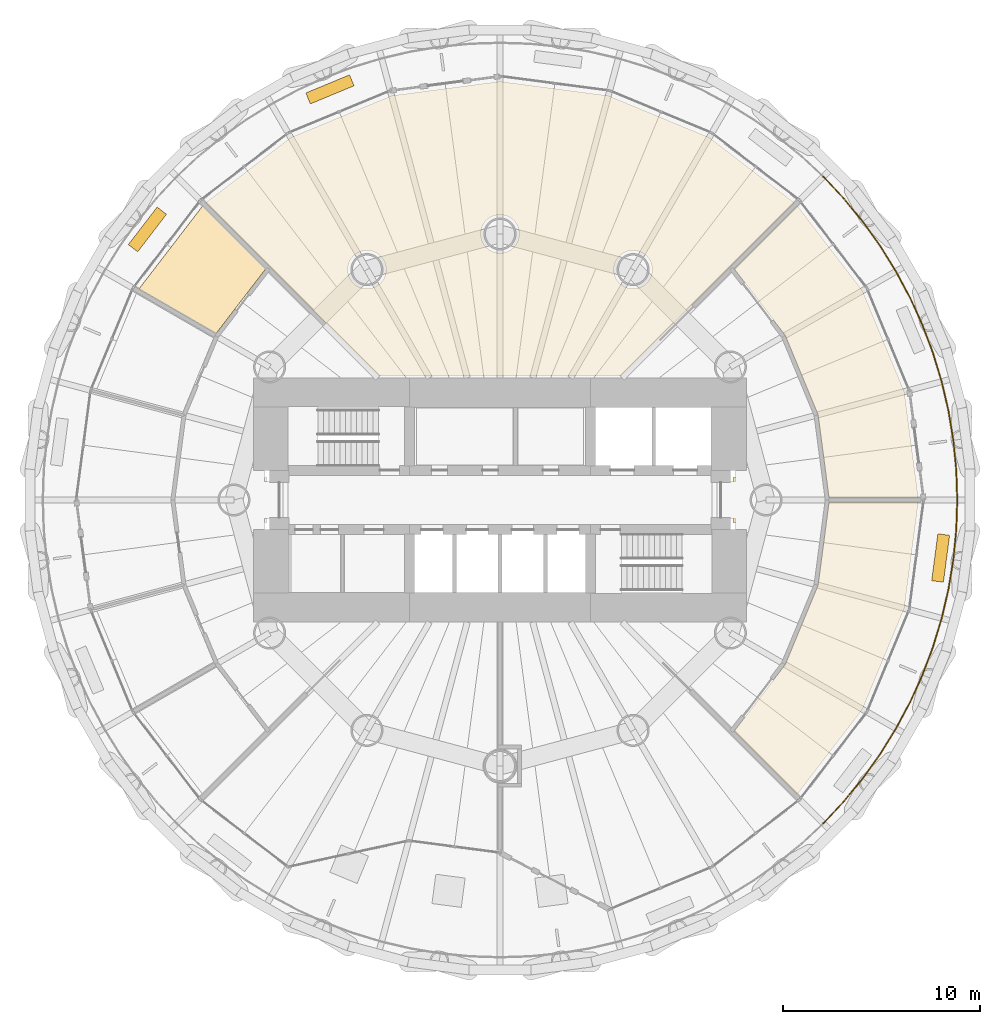
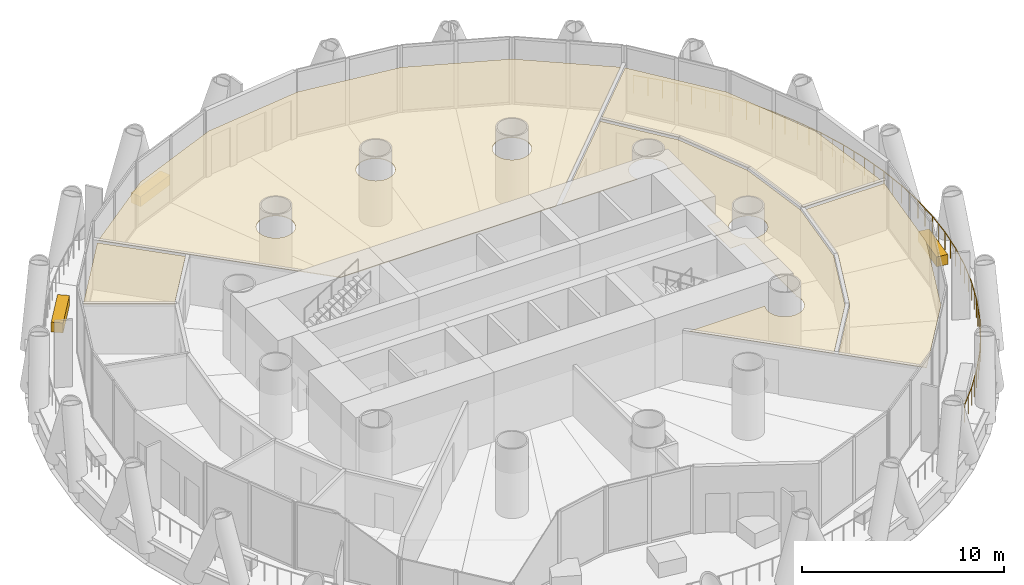
# One storey, part 14 of 15: 8 coverings, 1 railing.
"""IFC4 building model written with IfcOpenShell, lengths in metres."""

from ifc_helpers import new_model, si_unit, direction, frame, origin, origin_2d, place, context, subcontext, project, spatial, polyline, rectangle, circle, outline, extrude, material, layer, layer_set, type_object, element, save


model = new_model("IFC4")

# Units and contexts
model_context = context("Model", 3, precision=1e-05, world=origin(), true_north=direction((0.0, 1.0)))
body_context = subcontext(model_context, "Body", "Model", "MODEL_VIEW")
ifc_project = project(units=[si_unit("LENGTHUNIT", "METRE"), si_unit("AREAUNIT", "SQUARE_METRE"), si_unit("VOLUMEUNIT", "CUBIC_METRE"), si_unit("PLANEANGLEUNIT", "RADIAN"), si_unit("MASSUNIT", "GRAM", prefix="KILO")], contexts=[model_context])

# Site, building, storey
site_placement = place(None, origin())
site = spatial("IfcSite", under=ifc_project, at=site_placement, CompositionType="ELEMENT")
building_placement = place(site_placement, origin())
building = spatial("IfcBuilding", under=site, at=building_placement, Name="Qaws Media Tower", CompositionType="ELEMENT")
storey_placement = place(building_placement, frame((0.0, 0.0, 198.199951171875)))
storey = spatial("IfcBuildingStorey", under=building, at=storey_placement, Name="L45", CompositionType="ELEMENT", Elevation=198.199951171875)

# Coverings
ifc_material_1 = material(Name="40 perforated acoustic panels with mineral wool backing, suspended", Category="mineral fibre")
ifc_layer_1 = layer(ifc_material_1, 0.0400390625)
ifc_layer_set_1 = layer_set([ifc_layer_1], Name="Acoustic panel ceiling 40")
covering_type_1 = type_object("IfcCoveringType", Name="Acoustic panel ceiling 40", PredefinedType="CEILING", material=ifc_layer_set_1)
covering_1_placement = place(storey_placement, frame((0.0, 0.0, 2.85009765625)))
element("IfcCovering", 1, at=covering_1_placement, inside=storey, type_object=covering_type_1, Name="CL3 ceiling L45-02 Fitness centre", PredefinedType="CEILING", context=body_context, shape_type="SweptSolid", body=[
    extrude(outline(polyline([(78.390380859375, 60.61767578125), (80.51171875, 55.49609375), (81.220458984375, 50.112548828125), (76.69873046875, 50.112548828125), (76.14404296875, 54.32568359375), (74.474365234375, 58.356689453125), (71.88720703125, 61.728271484375), (75.084716796875, 64.925537109375), (78.390380859375, 60.61767578125)])), origin(), (0.0, 0.0, 1.0), 0.0400390625),
])
covering_2_placement = place(storey_placement, frame((0.0, 0.0, 2.85009765625)))
element("IfcCovering", 2, at=covering_2_placement, inside=storey, type_object=covering_type_1, Name="CL3 ceiling L45-03 Fitness centre", PredefinedType="CEILING", context=body_context, shape_type="SweptSolid", body=[
    extrude(outline(polyline([(45.074462890625, 65.084716796875), (49.38232421875, 68.390380859375), (54.50390625, 70.51171875), (60.0, 71.235107421875), (65.49609375, 70.51171875), (70.61767578125, 68.390380859375), (74.925537109375, 65.084716796875), (66.1533203125, 56.3125), (53.8466796875, 56.3125), (45.074462890625, 65.084716796875)]), holes=[polyline([(54.14892578125, 61.319091796875), (54.189697265625, 61.439453125), (54.214599609375, 61.564208984375), (54.222900390625, 61.69140625), (54.214599609375, 61.818359375), (54.189697265625, 61.943115234375), (54.14892578125, 62.063720703125), (54.092529296875, 62.177734375), (54.02197265625, 62.28369140625), (53.93798828125, 62.37939453125), (53.84228515625, 62.46337890625), (53.736572265625, 62.533935546875), (53.622314453125, 62.59033203125), (53.501708984375, 62.631103515625), (53.376953125, 62.656005859375), (53.25, 62.664306640625), (53.123046875, 62.656005859375), (52.998291015625, 62.631103515625), (52.877685546875, 62.59033203125), (52.763427734375, 62.533935546875), (52.65771484375, 62.46337890625), (52.56201171875, 62.37939453125), (52.47802734375, 62.28369140625), (52.407470703125, 62.177734375), (52.35107421875, 62.063720703125), (52.310302734375, 61.943115234375), (52.285400390625, 61.818359375), (52.277099609375, 61.69140625), (52.285400390625, 61.564208984375), (52.310302734375, 61.439453125), (52.35107421875, 61.319091796875), (52.407470703125, 61.204833984375), (52.47802734375, 61.09912109375), (52.56201171875, 61.00341796875), (52.65771484375, 60.91943359375), (52.763427734375, 60.8486328125), (52.877685546875, 60.79248046875), (52.998291015625, 60.75146484375), (53.123046875, 60.726806640625), (53.25, 60.71826171875), (53.376953125, 60.726806640625), (53.501708984375, 60.75146484375), (53.622314453125, 60.79248046875), (53.736572265625, 60.8486328125), (53.84228515625, 60.91943359375), (53.93798828125, 61.00341796875), (54.02197265625, 61.09912109375), (54.092529296875, 61.204833984375), (54.14892578125, 61.319091796875)]), polyline([(60.89892578125, 63.127685546875), (60.939697265625, 63.248291015625), (60.964599609375, 63.373046875), (60.972900390625, 63.5), (60.964599609375, 63.626953125), (60.939697265625, 63.751708984375), (60.89892578125, 63.872314453125), (60.842529296875, 63.986572265625), (60.77197265625, 64.09228515625), (60.68798828125, 64.18798828125), (60.59228515625, 64.27197265625), (60.486572265625, 64.342529296875), (60.372314453125, 64.39892578125), (60.251708984375, 64.439697265625), (60.126953125, 64.464599609375), (60.0, 64.472900390625), (59.873046875, 64.464599609375), (59.748291015625, 64.439697265625), (59.627685546875, 64.39892578125), (59.513427734375, 64.342529296875), (59.40771484375, 64.27197265625), (59.31201171875, 64.18798828125), (59.22802734375, 64.09228515625), (59.157470703125, 63.986572265625), (59.10107421875, 63.872314453125), (59.060302734375, 63.751708984375), (59.035400390625, 63.626953125), (59.027099609375, 63.5), (59.035400390625, 63.373046875), (59.060302734375, 63.248291015625), (59.10107421875, 63.127685546875), (59.157470703125, 63.013427734375), (59.22802734375, 62.90771484375), (59.31201171875, 62.81201171875), (59.40771484375, 62.72802734375), (59.513427734375, 62.657470703125), (59.627685546875, 62.60107421875), (59.748291015625, 62.560302734375), (59.873046875, 62.535400390625), (60.0, 62.527099609375), (60.126953125, 62.535400390625), (60.251708984375, 62.560302734375), (60.372314453125, 62.60107421875), (60.486572265625, 62.657470703125), (60.59228515625, 62.72802734375), (60.68798828125, 62.81201171875), (60.77197265625, 62.90771484375), (60.842529296875, 63.013427734375), (60.89892578125, 63.127685546875)]), polyline([(67.64892578125, 61.319091796875), (67.689697265625, 61.439453125), (67.714599609375, 61.564208984375), (67.722900390625, 61.69140625), (67.714599609375, 61.818359375), (67.689697265625, 61.943115234375), (67.64892578125, 62.063720703125), (67.592529296875, 62.177734375), (67.52197265625, 62.28369140625), (67.43798828125, 62.37939453125), (67.34228515625, 62.46337890625), (67.236572265625, 62.533935546875), (67.122314453125, 62.59033203125), (67.001708984375, 62.631103515625), (66.876953125, 62.656005859375), (66.75, 62.664306640625), (66.623046875, 62.656005859375), (66.498291015625, 62.631103515625), (66.377685546875, 62.59033203125), (66.263427734375, 62.533935546875), (66.15771484375, 62.46337890625), (66.06201171875, 62.37939453125), (65.97802734375, 62.28369140625), (65.907470703125, 62.177734375), (65.85107421875, 62.063720703125), (65.810302734375, 61.943115234375), (65.785400390625, 61.818359375), (65.777099609375, 61.69140625), (65.785400390625, 61.564208984375), (65.810302734375, 61.439453125), (65.85107421875, 61.319091796875), (65.907470703125, 61.204833984375), (65.97802734375, 61.09912109375), (66.06201171875, 61.00341796875), (66.15771484375, 60.91943359375), (66.263427734375, 60.8486328125), (66.377685546875, 60.79248046875), (66.498291015625, 60.75146484375), (66.623046875, 60.726806640625), (66.75, 60.71826171875), (66.876953125, 60.726806640625), (67.001708984375, 60.75146484375), (67.122314453125, 60.79248046875), (67.236572265625, 60.8486328125), (67.34228515625, 60.91943359375), (67.43798828125, 61.00341796875), (67.52197265625, 61.09912109375), (67.592529296875, 61.204833984375), (67.64892578125, 61.319091796875)])]), origin(), (0.0, 0.0, 1.0), 0.0400390625),
])

# Railing
ifc_material_2 = material(Name="Stainless steel and glass guard", Category="steel")
railing_type = type_object("IfcRailingType", Name="Balcony guard 1100", PredefinedType="GUARDRAIL", material=ifc_material_2)
railing_placement = place(storey_placement, frame((76.40478515625, 33.59521484375, 0.0)))
element("IfcRailing", 3, at=railing_placement, inside=storey, type_object=railing_type, Name="GR1 balcony guard L45-4", PredefinedType="GUARDRAIL", context=body_context, shape_type="SweptSolid", body=[
    extrude(circle(Radius=0.02392578125, at=origin_2d()), frame((0.0, 0.0, 1.076171875), z_axis=(0.683652198388, 0.729807969016, 0.0), x_axis=(-0.729807969016, 0.683652198388, 0.0)), (0.0, 0.0, 1.0), 1.51806640625),
    extrude(circle(Radius=0.02392578125, at=origin_2d()), frame((1.037841796875, 1.10791015625, 1.076171875), z_axis=(0.634393000934, 0.773010685803, 0.0), x_axis=(-0.773010685803, 0.634393000934, 0.0)), (0.0, 0.0, 1.0), 1.518310546875),
    extrude(circle(Radius=0.02392578125, at=origin_2d()), frame((2.0009765625, 2.281494140625, 1.076171875), z_axis=(0.582439258661, 0.812874227646, 0.0), x_axis=(-0.812874227646, 0.582439258661, 0.0)), (0.0, 0.0, 1.0), 1.518310546875),
    extrude(circle(Radius=0.02392578125, at=origin_2d()), frame((2.88525390625, 3.515625, 1.076171875), z_axis=(0.528147294252, 0.849152775167, 0.0), x_axis=(-0.849152775167, 0.528147294252, 0.0)), (0.0, 0.0, 1.0), 1.51806640625),
    extrude(circle(Radius=0.02392578125, at=origin_2d()), frame((3.68701171875, 4.8046875, 1.076171875), z_axis=(0.471297483953, 0.881974308934, 0.0), x_axis=(-0.881974308934, 0.471297483953, 0.0)), (0.0, 0.0, 1.0), 1.518310546875),
    extrude(circle(Radius=0.02392578125, at=origin_2d()), frame((4.402587890625, 6.143798828125, 1.076171875), z_axis=(0.41279708395, 0.910823016553, 0.0), x_axis=(-0.910823016553, 0.41279708395, 0.0)), (0.0, 0.0, 1.0), 1.518310546875),
    extrude(circle(Radius=0.02392578125, at=origin_2d()), frame((5.029296875, 7.526611328125, 1.076171875), z_axis=(0.352180618684, 0.935932055132, 0.0), x_axis=(-0.935932055132, 0.352180618684, 0.0)), (0.0, 0.0, 1.0), 1.51806640625),
    extrude(circle(Radius=0.02392578125, at=origin_2d()), frame((5.56396484375, 8.947509765625, 1.076171875), z_axis=(0.290297524602, 0.956936438438, 0.0), x_axis=(-0.956936438438, 0.290297524602, 0.0)), (0.0, 0.0, 1.0), 1.51806640625),
    extrude(circle(Radius=0.02392578125, at=origin_2d()), frame((6.004638671875, 10.400146484375, 1.076171875), z_axis=(0.227066936159, 0.973879153952, 0.0), x_axis=(-0.973879153952, 0.227066936159, 0.0)), (0.0, 0.0, 1.0), 1.51806640625),
    extrude(circle(Radius=0.02392578125, at=origin_2d()), frame((6.349365234375, 11.878662109375, 1.076171875), z_axis=(0.162912287394, 0.986640555935, 0.0), x_axis=(-0.986640555935, 0.162912287394, 0.0)), (0.0, 0.0, 1.0), 1.51806640625),
    extrude(circle(Radius=0.02392578125, at=origin_2d()), frame((6.5966796875, 13.37646484375, 1.076171875), z_axis=(0.098086686613, 0.995177874507, 0.0), x_axis=(-0.995177874507, 0.098086686613, 0.0)), (0.0, 0.0, 1.0), 1.518310546875),
    extrude(circle(Radius=0.02392578125, at=origin_2d()), frame((6.74560546875, 14.887451171875, 1.076171875), z_axis=(0.032645502765, 0.999466993527, 0.0), x_axis=(-0.999466993527, 0.032645502765, 0.0)), (0.0, 0.0, 1.0), 1.51806640625),
    extrude(circle(Radius=0.02392578125, at=origin_2d()), frame((6.795166015625, 16.40478515625, 1.076171875), z_axis=(-0.032645502765, 0.999466993527, 0.0), x_axis=(-0.999466993527, -0.032645502765, 0.0)), (0.0, 0.0, 1.0), 1.51806640625),
    extrude(circle(Radius=0.02392578125, at=origin_2d()), frame((6.74560546875, 17.922119140625, 1.076171875), z_axis=(-0.098086686613, 0.995177874507, 0.0), x_axis=(-0.995177874507, -0.098086686613, 0.0)), (0.0, 0.0, 1.0), 1.518310546875),
    extrude(circle(Radius=0.02392578125, at=origin_2d()), frame((6.5966796875, 19.43310546875, 1.076171875), z_axis=(-0.162912287394, 0.986640555935, 0.0), x_axis=(-0.986640555935, -0.162912287394, 0.0)), (0.0, 0.0, 1.0), 1.51806640625),
    extrude(circle(Radius=0.02392578125, at=origin_2d()), frame((6.349365234375, 20.930908203125, 1.076171875), z_axis=(-0.227066936159, 0.973879153952, 0.0), x_axis=(-0.973879153952, -0.227066936159, 0.0)), (0.0, 0.0, 1.0), 1.51806640625),
    extrude(circle(Radius=0.02392578125, at=origin_2d()), frame((6.004638671875, 22.409423828125, 1.076171875), z_axis=(-0.290297524602, 0.956936438438, 0.0), x_axis=(-0.956936438438, -0.290297524602, 0.0)), (0.0, 0.0, 1.0), 1.51806640625),
    extrude(circle(Radius=0.02392578125, at=origin_2d()), frame((5.56396484375, 23.862060546875, 1.076171875), z_axis=(-0.352180618684, 0.935932055132, 0.0), x_axis=(-0.935932055132, -0.352180618684, 0.0)), (0.0, 0.0, 1.0), 1.51806640625),
    extrude(circle(Radius=0.02392578125, at=origin_2d()), frame((5.029296875, 25.282958984375, 1.076171875), z_axis=(-0.41279708395, 0.910823016553, 0.0), x_axis=(-0.910823016553, -0.41279708395, 0.0)), (0.0, 0.0, 1.0), 1.518310546875),
    extrude(circle(Radius=0.02392578125, at=origin_2d()), frame((4.402587890625, 26.665771484375, 1.076171875), z_axis=(-0.471297483953, 0.881974308934, 0.0), x_axis=(-0.881974308934, -0.471297483953, 0.0)), (0.0, 0.0, 1.0), 1.518310546875),
    extrude(circle(Radius=0.02392578125, at=origin_2d()), frame((3.68701171875, 28.0048828125, 1.076171875), z_axis=(-0.528147294252, 0.849152775167, 0.0), x_axis=(-0.849152775167, -0.528147294252, 0.0)), (0.0, 0.0, 1.0), 1.51806640625),
    extrude(circle(Radius=0.02392578125, at=origin_2d()), frame((2.88525390625, 29.2939453125, 1.076171875), z_axis=(-0.582439258661, 0.812874227646, 0.0), x_axis=(-0.812874227646, -0.582439258661, 0.0)), (0.0, 0.0, 1.0), 1.518310546875),
    extrude(circle(Radius=0.02392578125, at=origin_2d()), frame((2.0009765625, 30.528076171875, 1.076171875), z_axis=(-0.634393000934, 0.773010685803, 0.0), x_axis=(-0.773010685803, -0.634393000934, 0.0)), (0.0, 0.0, 1.0), 1.518310546875),
    extrude(circle(Radius=0.02392578125, at=origin_2d()), frame((1.037841796875, 31.70166015625, 1.076171875), z_axis=(-0.683652198388, 0.729807969016, 0.0), x_axis=(-0.729807969016, -0.683652198388, 0.0)), (0.0, 0.0, 1.0), 1.51806640625),
    extrude(circle(Radius=0.02099609375, at=origin_2d()), origin(), (0.0, 0.0, 1.0), 1.052001953125),
    extrude(circle(Radius=0.02099609375, at=origin_2d()), frame((0.51904296875, 0.553955078125, 0.0)), (0.0, 0.0, 1.0), 1.052001953125),
    extrude(circle(Radius=0.02099609375, at=origin_2d()), frame((1.037841796875, 1.10791015625, 0.0)), (0.0, 0.0, 1.0), 1.052001953125),
    extrude(circle(Radius=0.02099609375, at=origin_2d()), frame((1.51953125, 1.69482421875, 0.0)), (0.0, 0.0, 1.0), 1.052001953125),
    extrude(circle(Radius=0.02099609375, at=origin_2d()), frame((2.0009765625, 2.281494140625, 0.0)), (0.0, 0.0, 1.0), 1.052001953125),
    extrude(circle(Radius=0.02099609375, at=origin_2d()), frame((2.443115234375, 2.8984375, 0.0)), (0.0, 0.0, 1.0), 1.052001953125),
    extrude(circle(Radius=0.02099609375, at=origin_2d()), frame((2.88525390625, 3.515625, 0.0)), (0.0, 0.0, 1.0), 1.052001953125),
    extrude(circle(Radius=0.02099609375, at=origin_2d()), frame((3.2861328125, 4.16015625, 0.0)), (0.0, 0.0, 1.0), 1.052001953125),
    extrude(circle(Radius=0.02099609375, at=origin_2d()), frame((3.68701171875, 4.8046875, 0.0)), (0.0, 0.0, 1.0), 1.052001953125),
    extrude(circle(Radius=0.02099609375, at=origin_2d()), frame((4.044921875, 5.47412109375, 0.0)), (0.0, 0.0, 1.0), 1.052001953125),
    extrude(circle(Radius=0.02099609375, at=origin_2d()), frame((4.402587890625, 6.143798828125, 0.0)), (0.0, 0.0, 1.0), 1.052001953125),
    extrude(circle(Radius=0.02099609375, at=origin_2d()), frame((4.7158203125, 6.835205078125, 0.0)), (0.0, 0.0, 1.0), 1.052001953125),
    extrude(circle(Radius=0.02099609375, at=origin_2d()), frame((5.029296875, 7.526611328125, 0.0)), (0.0, 0.0, 1.0), 1.052001953125),
    extrude(circle(Radius=0.02099609375, at=origin_2d()), frame((5.296630859375, 8.237060546875, 0.0)), (0.0, 0.0, 1.0), 1.052001953125),
    extrude(circle(Radius=0.02099609375, at=origin_2d()), frame((5.56396484375, 8.947509765625, 0.0)), (0.0, 0.0, 1.0), 1.052001953125),
    extrude(circle(Radius=0.02099609375, at=origin_2d()), frame((5.7841796875, 9.673828125, 0.0)), (0.0, 0.0, 1.0), 1.052001953125),
    extrude(circle(Radius=0.02099609375, at=origin_2d()), frame((6.004638671875, 10.400146484375, 0.0)), (0.0, 0.0, 1.0), 1.052001953125),
    extrude(circle(Radius=0.02099609375, at=origin_2d()), frame((6.177001953125, 11.139404296875, 0.0)), (0.0, 0.0, 1.0), 1.052001953125),
    extrude(circle(Radius=0.02099609375, at=origin_2d()), frame((6.349365234375, 11.878662109375, 0.0)), (0.0, 0.0, 1.0), 1.052001953125),
    extrude(circle(Radius=0.02099609375, at=origin_2d()), frame((6.47314453125, 12.62744140625, 0.0)), (0.0, 0.0, 1.0), 1.052001953125),
    extrude(circle(Radius=0.02099609375, at=origin_2d()), frame((6.5966796875, 13.37646484375, 0.0)), (0.0, 0.0, 1.0), 1.052001953125),
    extrude(circle(Radius=0.02099609375, at=origin_2d()), frame((6.671142578125, 14.1318359375, 0.0)), (0.0, 0.0, 1.0), 1.052001953125),
    extrude(circle(Radius=0.02099609375, at=origin_2d()), frame((6.74560546875, 14.887451171875, 0.0)), (0.0, 0.0, 1.0), 1.052001953125),
    extrude(circle(Radius=0.02099609375, at=origin_2d()), frame((6.7705078125, 15.64599609375, 0.0)), (0.0, 0.0, 1.0), 1.052001953125),
    extrude(circle(Radius=0.02099609375, at=origin_2d()), frame((6.795166015625, 16.40478515625, 0.0)), (0.0, 0.0, 1.0), 1.052001953125),
    extrude(circle(Radius=0.02099609375, at=origin_2d()), frame((6.7705078125, 17.16357421875, 0.0)), (0.0, 0.0, 1.0), 1.052001953125),
    extrude(circle(Radius=0.02099609375, at=origin_2d()), frame((6.74560546875, 17.922119140625, 0.0)), (0.0, 0.0, 1.0), 1.052001953125),
    extrude(circle(Radius=0.02099609375, at=origin_2d()), frame((6.671142578125, 18.677734375, 0.0)), (0.0, 0.0, 1.0), 1.052001953125),
    extrude(circle(Radius=0.02099609375, at=origin_2d()), frame((6.5966796875, 19.43310546875, 0.0)), (0.0, 0.0, 1.0), 1.052001953125),
    extrude(circle(Radius=0.02099609375, at=origin_2d()), frame((6.47314453125, 20.18212890625, 0.0)), (0.0, 0.0, 1.0), 1.052001953125),
    extrude(circle(Radius=0.02099609375, at=origin_2d()), frame((6.349365234375, 20.930908203125, 0.0)), (0.0, 0.0, 1.0), 1.052001953125),
    extrude(circle(Radius=0.02099609375, at=origin_2d()), frame((6.177001953125, 21.670166015625, 0.0)), (0.0, 0.0, 1.0), 1.052001953125),
    extrude(circle(Radius=0.02099609375, at=origin_2d()), frame((6.004638671875, 22.409423828125, 0.0)), (0.0, 0.0, 1.0), 1.052001953125),
    extrude(circle(Radius=0.02099609375, at=origin_2d()), frame((5.7841796875, 23.1357421875, 0.0)), (0.0, 0.0, 1.0), 1.052001953125),
    extrude(circle(Radius=0.02099609375, at=origin_2d()), frame((5.56396484375, 23.862060546875, 0.0)), (0.0, 0.0, 1.0), 1.052001953125),
    extrude(circle(Radius=0.02099609375, at=origin_2d()), frame((5.296630859375, 24.572509765625, 0.0)), (0.0, 0.0, 1.0), 1.052001953125),
    extrude(circle(Radius=0.02099609375, at=origin_2d()), frame((5.029296875, 25.282958984375, 0.0)), (0.0, 0.0, 1.0), 1.052001953125),
    extrude(circle(Radius=0.02099609375, at=origin_2d()), frame((4.7158203125, 25.974365234375, 0.0)), (0.0, 0.0, 1.0), 1.052001953125),
    extrude(circle(Radius=0.02099609375, at=origin_2d()), frame((4.402587890625, 26.665771484375, 0.0)), (0.0, 0.0, 1.0), 1.052001953125),
    extrude(circle(Radius=0.02099609375, at=origin_2d()), frame((4.044921875, 27.33544921875, 0.0)), (0.0, 0.0, 1.0), 1.052001953125),
    extrude(circle(Radius=0.02099609375, at=origin_2d()), frame((3.68701171875, 28.0048828125, 0.0)), (0.0, 0.0, 1.0), 1.052001953125),
    extrude(circle(Radius=0.02099609375, at=origin_2d()), frame((3.2861328125, 28.6494140625, 0.0)), (0.0, 0.0, 1.0), 1.052001953125),
    extrude(circle(Radius=0.02099609375, at=origin_2d()), frame((2.88525390625, 29.2939453125, 0.0)), (0.0, 0.0, 1.0), 1.052001953125),
    extrude(circle(Radius=0.02099609375, at=origin_2d()), frame((2.443115234375, 29.9111328125, 0.0)), (0.0, 0.0, 1.0), 1.052001953125),
    extrude(circle(Radius=0.02099609375, at=origin_2d()), frame((2.0009765625, 30.528076171875, 0.0)), (0.0, 0.0, 1.0), 1.052001953125),
    extrude(circle(Radius=0.02099609375, at=origin_2d()), frame((1.51953125, 31.11474609375, 0.0)), (0.0, 0.0, 1.0), 1.052001953125),
    extrude(circle(Radius=0.02099609375, at=origin_2d()), frame((1.037841796875, 31.70166015625, 0.0)), (0.0, 0.0, 1.0), 1.052001953125),
    extrude(circle(Radius=0.02099609375, at=origin_2d()), frame((0.51904296875, 32.255615234375, 0.0)), (0.0, 0.0, 1.0), 1.052001953125),
    extrude(circle(Radius=0.02099609375, at=origin_2d()), frame((0.0, 32.8095703125, 0.0)), (0.0, 0.0, 1.0), 1.052001953125),
])

# Coverings
ifc_material_3 = material(Name="600 x 600 mineral fibre tiles in exposed grid, suspended", Category="mineral fibre")
ifc_layer_2 = layer(ifc_material_3, 0.02001953125)
ifc_layer_set_2 = layer_set([ifc_layer_2], Name="Mineral fibre tile ceiling 20")
covering_type_2 = type_object("IfcCoveringType", Name="Mineral fibre tile ceiling 20", PredefinedType="CEILING", material=ifc_layer_set_2)
covering_3_placement = place(storey_placement, frame((0.0, 0.0, 2.85009765625)))
element("IfcCovering", 4, at=covering_3_placement, inside=storey, type_object=covering_type_2, Name="CL1 ceiling L45-01-1 Corridor", PredefinedType="CEILING", context=body_context, shape_type="SweptSolid", body=[
    extrude(outline(polyline([(74.27783203125, 58.243408203125), (75.9248046875, 54.26708984375), (76.486572265625, 50.0), (75.9248046875, 45.73291015625), (74.27783203125, 41.756591796875), (71.726806640625, 38.432373046875), (66.4716796875, 43.6875), (70.824462890625, 43.6875), (70.79248046875, 43.622314453125), (70.75146484375, 43.501708984375), (70.726806640625, 43.376953125), (70.71826171875, 43.25), (70.726806640625, 43.123046875), (70.75146484375, 42.998291015625), (70.79248046875, 42.877685546875), (70.8486328125, 42.763427734375), (70.91943359375, 42.65771484375), (71.00341796875, 42.56201171875), (71.09912109375, 42.47802734375), (71.204833984375, 42.407470703125), (71.319091796875, 42.35107421875), (71.439453125, 42.310302734375), (71.564208984375, 42.285400390625), (71.69140625, 42.277099609375), (71.818359375, 42.285400390625), (71.943115234375, 42.310302734375), (72.063720703125, 42.35107421875), (72.177734375, 42.407470703125), (72.28369140625, 42.47802734375), (72.37939453125, 42.56201171875), (72.46337890625, 42.65771484375), (72.533935546875, 42.763427734375), (72.59033203125, 42.877685546875), (72.631103515625, 42.998291015625), (72.656005859375, 43.123046875), (72.664306640625, 43.25), (72.656005859375, 43.376953125), (72.631103515625, 43.501708984375), (72.59033203125, 43.622314453125), (72.55810546875, 43.6875), (72.612548828125, 43.6875), (72.612548828125, 48.862548828125), (71.8125, 48.862548828125), (71.8125, 51.137451171875), (72.612548828125, 51.137451171875), (72.612548828125, 56.3125), (72.55810546875, 56.3125), (72.59033203125, 56.377685546875), (72.631103515625, 56.498291015625), (72.656005859375, 56.623046875), (72.664306640625, 56.75), (72.656005859375, 56.876953125), (72.631103515625, 57.001708984375), (72.59033203125, 57.122314453125), (72.533935546875, 57.236572265625), (72.46337890625, 57.34228515625), (72.37939453125, 57.43798828125), (72.28369140625, 57.52197265625), (72.177734375, 57.592529296875), (72.063720703125, 57.64892578125), (71.943115234375, 57.689697265625), (71.818359375, 57.714599609375), (71.69140625, 57.722900390625), (71.564208984375, 57.714599609375), (71.439453125, 57.689697265625), (71.319091796875, 57.64892578125), (71.204833984375, 57.592529296875), (71.09912109375, 57.52197265625), (71.00341796875, 57.43798828125), (70.91943359375, 57.34228515625), (70.8486328125, 57.236572265625), (70.79248046875, 57.122314453125), (70.75146484375, 57.001708984375), (70.726806640625, 56.876953125), (70.71826171875, 56.75), (70.726806640625, 56.623046875), (70.75146484375, 56.498291015625), (70.79248046875, 56.377685546875), (70.824462890625, 56.3125), (66.4716796875, 56.3125), (71.726806640625, 61.567626953125), (74.27783203125, 58.243408203125)]), holes=[polyline([(74.439697265625, 49.748291015625), (74.464599609375, 49.873046875), (74.472900390625, 50.0), (74.464599609375, 50.126953125), (74.439697265625, 50.251708984375), (74.39892578125, 50.372314453125), (74.342529296875, 50.486572265625), (74.27197265625, 50.59228515625), (74.18798828125, 50.68798828125), (74.09228515625, 50.77197265625), (73.986572265625, 50.842529296875), (73.872314453125, 50.89892578125), (73.751708984375, 50.939697265625), (73.626953125, 50.964599609375), (73.5, 50.972900390625), (73.373046875, 50.964599609375), (73.248291015625, 50.939697265625), (73.127685546875, 50.89892578125), (73.013427734375, 50.842529296875), (72.90771484375, 50.77197265625), (72.81201171875, 50.68798828125), (72.72802734375, 50.59228515625), (72.657470703125, 50.486572265625), (72.60107421875, 50.372314453125), (72.560302734375, 50.251708984375), (72.535400390625, 50.126953125), (72.527099609375, 50.0), (72.535400390625, 49.873046875), (72.560302734375, 49.748291015625), (72.60107421875, 49.627685546875), (72.657470703125, 49.513427734375), (72.72802734375, 49.40771484375), (72.81201171875, 49.31201171875), (72.90771484375, 49.22802734375), (73.013427734375, 49.157470703125), (73.127685546875, 49.10107421875), (73.248291015625, 49.060302734375), (73.373046875, 49.035400390625), (73.5, 49.027099609375), (73.626953125, 49.035400390625), (73.751708984375, 49.060302734375), (73.872314453125, 49.10107421875), (73.986572265625, 49.157470703125), (74.09228515625, 49.22802734375), (74.18798828125, 49.31201171875), (74.27197265625, 49.40771484375), (74.342529296875, 49.513427734375), (74.39892578125, 49.627685546875), (74.439697265625, 49.748291015625)])]), origin(), (0.0, 0.0, 1.0), 0.02001953125),
])
ifc_material_4 = material(Name="Precast concrete planter with trailing planting", Category="concrete")
ifc_layer_3 = layer(ifc_material_4, 0.60009765625)
ifc_layer_set_3 = layer_set([ifc_layer_3], Name="Planter 2400x600")
covering_type_3 = type_object("IfcCoveringType", Name="Planter 2400x600", PredefinedType="USERDEFINED", material=ifc_layer_set_3)
for number, where, z_axis, x_axis, name in (
    (5, (51.37060546875, 70.83349609375, 0.0), (0.0, 0.0, 1.0), (-0.923879532511, -0.382683432365, 0.0), "PL1 balcony planter L45-04"),
    (6, (42.10986328125, 63.7275390625, 0.0), (0.0, 0.0, 1.0), (-0.608761429009, -0.793353340291, 0.0), "PL1 balcony planter L45-05"),
    (7, (82.357177734375, 47.056640625, 0.0), (0.0, 0.0, 1.0), (0.13052619222, 0.991444861374, 0.0), "PL1 balcony planter L45-12"),
):
    element("IfcCovering", number, at=place(storey_placement, frame(where, z_axis=z_axis, x_axis=x_axis)), inside=storey, type_object=covering_type_3, Name=name, ObjectType="PLANTER", PredefinedType="USERDEFINED", context=body_context, shape_type="SweptSolid", body=[
        extrude(rectangle(XDim=2.39990234375, YDim=0.60009765625, at=origin_2d()), origin(), (0.0, 0.0, 1.0), 0.60009765625),
    ])
ifc_material_5 = material(Name="Two layers 12.5 moisture-resistant plasterboard on suspended metal furring", Category="gypsum")
ifc_layer_4 = layer(ifc_material_5, 0.02490234375)
ifc_layer_set_4 = layer_set([ifc_layer_4], Name="Plasterboard ceiling 25")
covering_type_4 = type_object("IfcCoveringType", Name="Plasterboard ceiling 25", PredefinedType="CEILING", material=ifc_layer_set_4)
covering_4_placement = place(storey_placement, frame((0.0, 0.0, 2.85009765625)))
element("IfcCovering", 8, at=covering_4_placement, inside=storey, type_object=covering_type_4, Name="CL2 ceiling L45-04 Changing room (men)", PredefinedType="CEILING", context=body_context, shape_type="SweptSolid", body=[
    extrude(outline(polyline([(44.915283203125, 64.925537109375), (48.11279296875, 61.728271484375), (45.5947265625, 58.44677734375), (41.6787109375, 60.70751953125), (44.915283203125, 64.925537109375)])), origin(), (0.0, 0.0, 1.0), 0.02490234375),
])
covering_5_placement = place(storey_placement, frame((0.0, 0.0, 2.85009765625)))
element("IfcCovering", 9, at=covering_5_placement, inside=storey, type_object=covering_type_4, Name="CL2 ceiling L45-11 Wellness lounge", PredefinedType="CEILING", context=body_context, shape_type="SweptSolid", body=[
    extrude(outline(polyline([(74.474365234375, 41.643310546875), (76.14404296875, 45.67431640625), (76.69873046875, 49.887451171875), (81.220458984375, 49.887451171875), (80.51171875, 44.50390625), (78.390380859375, 39.38232421875), (75.084716796875, 35.074462890625), (71.88720703125, 38.271728515625), (74.474365234375, 41.643310546875)])), origin(), (0.0, 0.0, 1.0), 0.02490234375),
])

save(model, "model.ifc")
